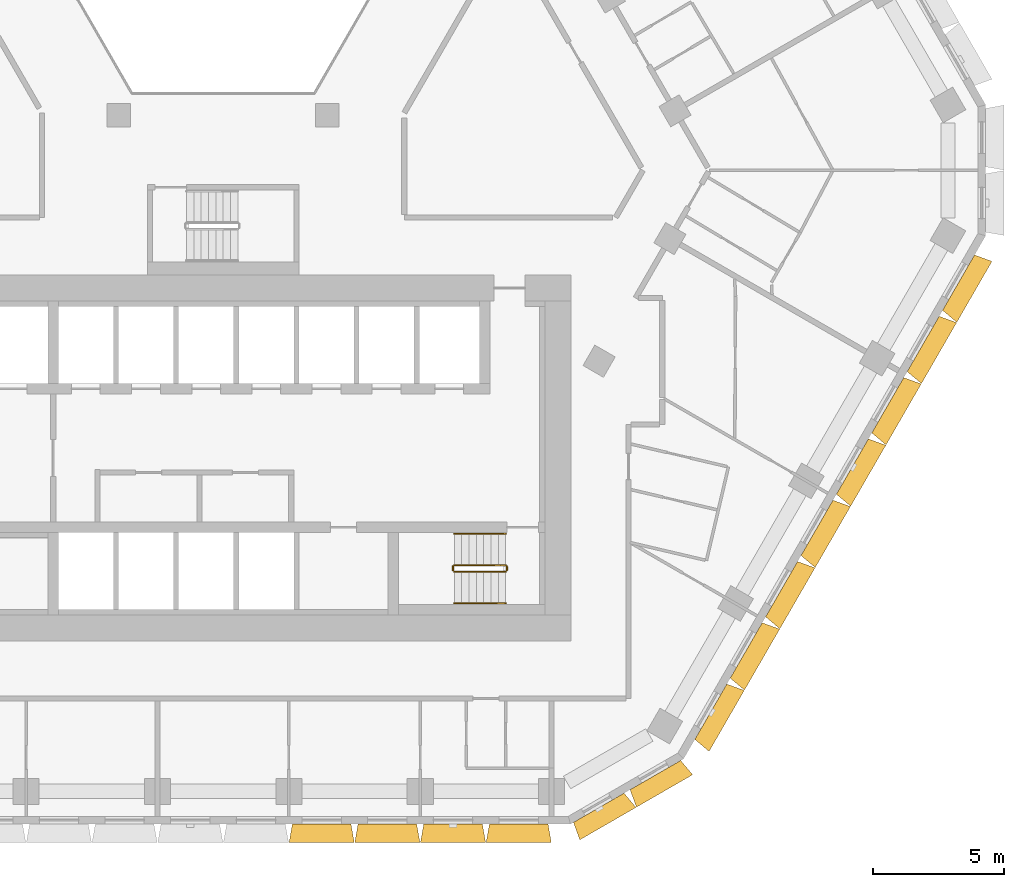
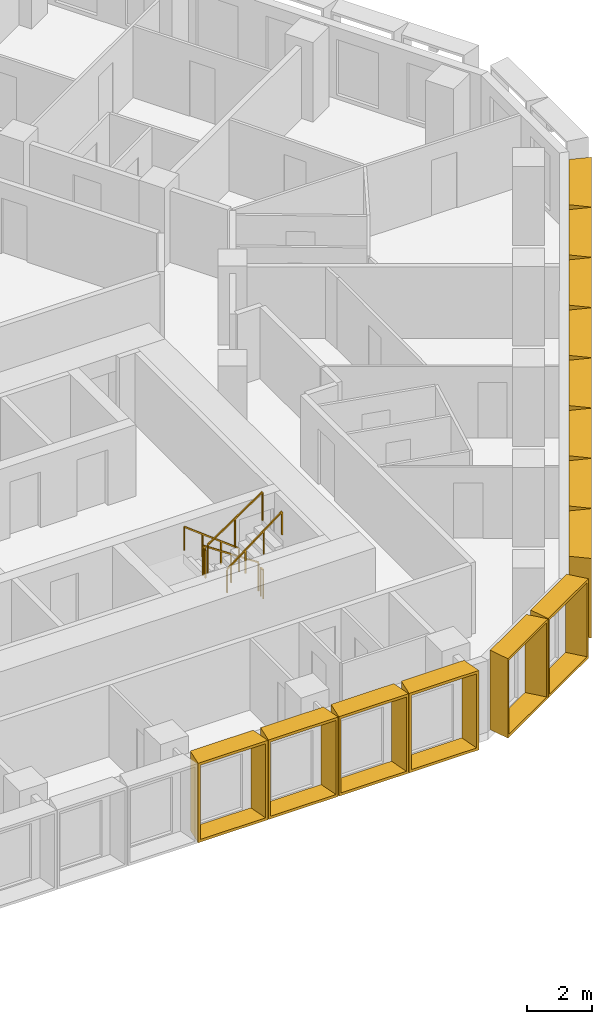
# One storey, part 17 of 18: 14 shading devices, 6 railings.
"""IFC4 building model written with IfcOpenShell, lengths in metres."""

from ifc_helpers import new_model, entity, si_unit, direction, frame, origin, origin_2d, place, context, subcontext, project, spatial, rectangle, extrude, source, transform, mapped, material, type_object, type_shapes, element, save


model = new_model("IFC4")

# Units and contexts
model_context = context("Model", 3, precision=1e-05, world=origin(), true_north=direction((0.0, 1.0)))
body_context = subcontext(model_context, "Body", "Model", "MODEL_VIEW")
ifc_project = project(units=[si_unit("LENGTHUNIT", "METRE"), si_unit("AREAUNIT", "SQUARE_METRE"), si_unit("VOLUMEUNIT", "CUBIC_METRE"), si_unit("PLANEANGLEUNIT", "RADIAN"), si_unit("MASSUNIT", "GRAM", prefix="KILO")], contexts=[model_context])

# Site, building, storey
site_placement = place(None, origin())
site = spatial("IfcSite", under=ifc_project, at=site_placement, CompositionType="ELEMENT")
building_placement = place(site_placement, origin())
building = spatial("IfcBuilding", under=site, at=building_placement, Name="Beryl Residences", CompositionType="ELEMENT")
storey_placement = place(building_placement, frame((0.0, 0.0, 75.0)))
storey = spatial("IfcBuildingStorey", under=building, at=storey_placement, Name="L22", CompositionType="ELEMENT", Elevation=75.0)

# Shading devices
ifc_material_1 = material(Name="Aluminium pale anodised", Category="aluminium")
shading_device_type_1 = type_object("IfcShadingDeviceType", Name="FR250-70A OUTER SKIN frame 700 mm deep, splay 10/10 deg, 2500 x 3000 mm cell", PredefinedType="USERDEFINED", material=ifc_material_1)
cartesian_point_1 = entity("IfcCartesianPoint", [-1.116455078125, 0.0])
cartesian_point_2 = entity("IfcCartesianPoint", [-1.03515625, 0.10009765625])
cartesian_point_3 = entity("IfcCartesianPoint", [-1.239990234375, 0.0])
cartesian_point_4 = entity("IfcCartesianPoint", [-1.15869140625, 0.10009765625])
shared_shape_1 = source(origin(), body_context, "Body", "SweptSolid", [
    entity("IfcExtrudedAreaSolidTapered", entity("IfcArbitraryProfileDefWithVoids", "AREA", None, entity("IfcPolyline", [cartesian_point_1, entity("IfcCartesianPoint", [1.116455078125, 0.0]), entity("IfcCartesianPoint", [1.116455078125, 3.0]), entity("IfcCartesianPoint", [-1.116455078125, 3.0]), cartesian_point_1]), [entity("IfcPolyline", [cartesian_point_2, entity("IfcCartesianPoint", [1.03515625, 0.10009765625]), entity("IfcCartesianPoint", [1.03515625, 2.89990234375]), entity("IfcCartesianPoint", [-1.03515625, 2.89990234375]), cartesian_point_2])]), entity("IfcAxis2Placement3D", entity("IfcCartesianPoint", [0.0, 0.0, 0.0]), entity("IfcDirection", [0.0, 1.0, 0.0]), entity("IfcDirection", [-1.0, 0.0, 0.0])), entity("IfcDirection", [0.0, 0.0, 1.0]), 0.699951171875, entity("IfcArbitraryProfileDefWithVoids", "AREA", None, entity("IfcPolyline", [cartesian_point_3, entity("IfcCartesianPoint", [1.239990234375, 0.0]), entity("IfcCartesianPoint", [1.239990234375, 3.0]), entity("IfcCartesianPoint", [-1.239990234375, 3.0]), cartesian_point_3]), [entity("IfcPolyline", [cartesian_point_4, entity("IfcCartesianPoint", [1.15869140625, 0.10009765625]), entity("IfcCartesianPoint", [1.15869140625, 2.89990234375]), entity("IfcCartesianPoint", [-1.15869140625, 2.89990234375]), cartesian_point_4])])),
])
type_shapes(shading_device_type_1, [shared_shape_1])
for number, where, z_axis, x_axis, name in (
    (1, (14.361083984375, -25.375, 0.0), (0.0, 0.0, 1.0), (-0.866025403784, -0.5, 0.0), "FR250-70A frame L22 S-SE 1"),
    (2, (16.527099609375, -24.125, 0.0), (0.0, 0.0, 1.0), (-0.866025403784, -0.5, 0.0), "FR250-70A frame L22 S-SE 2"),
):
    element("IfcShadingDevice", number, at=place(storey_placement, frame(where, z_axis=z_axis, x_axis=x_axis)), inside=storey, type_object=shading_device_type_1, Name=name, ObjectType="OUTER SKIN", PredefinedType="USERDEFINED", context=body_context, shape_type="MappedRepresentation", body=[
        mapped(shared_shape_1, transform((0.0, 0.0, 0.0))),
    ])
ifc_material_2 = material(Name="Aluminium pale anodised", Category="aluminium")
shading_device_type_2 = type_object("IfcShadingDeviceType", Name="FR251-70A OUTER SKIN frame 700 mm deep, splay 10/10 deg, 2510 x 3000 mm cell", PredefinedType="USERDEFINED", material=ifc_material_2)
cartesian_point_5 = entity("IfcCartesianPoint", [-1.12158203125, 0.0])
cartesian_point_6 = entity("IfcCartesianPoint", [-1.040283203125, 0.10009765625])
cartesian_point_7 = entity("IfcCartesianPoint", [-1.244873046875, 0.0])
cartesian_point_8 = entity("IfcCartesianPoint", [-1.16357421875, 0.10009765625])
shared_shape_2 = source(origin(), body_context, "Body", "SweptSolid", [
    entity("IfcExtrudedAreaSolidTapered", entity("IfcArbitraryProfileDefWithVoids", "AREA", None, entity("IfcPolyline", [cartesian_point_5, entity("IfcCartesianPoint", [1.12158203125, 0.0]), entity("IfcCartesianPoint", [1.12158203125, 3.0]), entity("IfcCartesianPoint", [-1.12158203125, 3.0]), cartesian_point_5]), [entity("IfcPolyline", [cartesian_point_6, entity("IfcCartesianPoint", [1.040283203125, 0.10009765625]), entity("IfcCartesianPoint", [1.040283203125, 2.89990234375]), entity("IfcCartesianPoint", [-1.040283203125, 2.89990234375]), cartesian_point_6])]), entity("IfcAxis2Placement3D", entity("IfcCartesianPoint", [0.0, 0.0, 0.0]), entity("IfcDirection", [0.0, 1.0, 0.0]), entity("IfcDirection", [-1.0, 0.0, 0.0])), entity("IfcDirection", [0.0, 0.0, 1.0]), 0.699951171875, entity("IfcArbitraryProfileDefWithVoids", "AREA", None, entity("IfcPolyline", [cartesian_point_7, entity("IfcCartesianPoint", [1.244873046875, 0.0]), entity("IfcCartesianPoint", [1.244873046875, 3.0]), entity("IfcCartesianPoint", [-1.244873046875, 3.0]), cartesian_point_7]), [entity("IfcPolyline", [cartesian_point_8, entity("IfcCartesianPoint", [1.16357421875, 0.10009765625]), entity("IfcCartesianPoint", [1.16357421875, 2.89990234375]), entity("IfcCartesianPoint", [-1.16357421875, 2.89990234375]), cartesian_point_8])])),
])
type_shapes(shading_device_type_2, [shared_shape_2])
for number, where, z_axis, x_axis, name in (
    (3, (3.76806640625, -26.0, 0.0), (0.0, 0.0, 1.0), (-1.0, 0.0, 0.0), "FR251-70A frame L22 S 7"),
    (4, (6.279052734375, -26.0, 0.0), (0.0, 0.0, 1.0), (-1.0, 0.0, 0.0), "FR251-70A frame L22 S 8"),
    (5, (8.791015625, -26.0, 0.0), (0.0, 0.0, 1.0), (-1.0, 0.0, 0.0), "FR251-70A frame L22 S 9"),
    (6, (11.302001953125, -26.0, 0.0), (0.0, 0.0, 1.0), (-1.0, 0.0, 0.0), "FR251-70A frame L22 S 10"),
):
    element("IfcShadingDevice", number, at=place(storey_placement, frame(where, z_axis=z_axis, x_axis=x_axis)), inside=storey, type_object=shading_device_type_2, Name=name, ObjectType="OUTER SKIN", PredefinedType="USERDEFINED", context=body_context, shape_type="MappedRepresentation", body=[
        mapped(shared_shape_2, transform((0.0, 0.0, 0.0))),
    ])
ifc_material_3 = material(Name="Aluminium pale anodised", Category="aluminium")
shading_device_type_3 = type_object("IfcShadingDeviceType", Name="FR271-70A OUTER SKIN frame 700 mm deep, splay 10/10 deg, 2710 x 3000 mm cell", PredefinedType="USERDEFINED", material=ifc_material_3)
cartesian_point_9 = entity("IfcCartesianPoint", [-1.221435546875, 0.0])
cartesian_point_10 = entity("IfcCartesianPoint", [-1.140380859375, 0.10009765625])
cartesian_point_11 = entity("IfcCartesianPoint", [-1.344970703125, 0.0])
cartesian_point_12 = entity("IfcCartesianPoint", [-1.263671875, 0.10009765625])
shared_shape_3 = source(origin(), body_context, "Body", "SweptSolid", [
    entity("IfcExtrudedAreaSolidTapered", entity("IfcArbitraryProfileDefWithVoids", "AREA", None, entity("IfcPolyline", [cartesian_point_9, entity("IfcCartesianPoint", [1.221435546875, 0.0]), entity("IfcCartesianPoint", [1.221435546875, 3.0]), entity("IfcCartesianPoint", [-1.221435546875, 3.0]), cartesian_point_9]), [entity("IfcPolyline", [cartesian_point_10, entity("IfcCartesianPoint", [1.140380859375, 0.10009765625]), entity("IfcCartesianPoint", [1.140380859375, 2.89990234375]), entity("IfcCartesianPoint", [-1.140380859375, 2.89990234375]), cartesian_point_10])]), entity("IfcAxis2Placement3D", entity("IfcCartesianPoint", [0.0, 0.0, 0.0]), entity("IfcDirection", [0.0, 1.0, 0.0]), entity("IfcDirection", [-1.0, 0.0, 0.0])), entity("IfcDirection", [0.0, 0.0, 1.0]), 0.699951171875, entity("IfcArbitraryProfileDefWithVoids", "AREA", None, entity("IfcPolyline", [cartesian_point_11, entity("IfcCartesianPoint", [1.344970703125, 0.0]), entity("IfcCartesianPoint", [1.344970703125, 3.0]), entity("IfcCartesianPoint", [-1.344970703125, 3.0]), cartesian_point_11]), [entity("IfcPolyline", [cartesian_point_12, entity("IfcCartesianPoint", [1.263671875, 0.10009765625]), entity("IfcCartesianPoint", [1.263671875, 2.89990234375]), entity("IfcCartesianPoint", [-1.263671875, 2.89990234375]), cartesian_point_12])])),
])
type_shapes(shading_device_type_3, [shared_shape_3])
for number, where, z_axis, x_axis, name in (
    (7, (18.64697265625, -21.7041015625, 0.0), (0.0, 0.0, 1.0), (-0.5, -0.866025403784, 0.0), "FR271-70A frame L22 SE 1"),
    (8, (20.0, -19.360107421875, 0.0), (0.0, 0.0, 1.0), (-0.5, -0.866025403784, 0.0), "FR271-70A frame L22 SE 2"),
    (9, (21.35302734375, -17.01611328125, 0.0), (0.0, 0.0, 1.0), (-0.5, -0.866025403784, 0.0), "FR271-70A frame L22 SE 3"),
    (10, (22.7060546875, -14.672119140625, 0.0), (0.0, 0.0, 1.0), (-0.5, -0.866025403784, 0.0), "FR271-70A frame L22 SE 4"),
    (11, (24.06005859375, -12.327880859375, 0.0), (0.0, 0.0, 1.0), (-0.5, -0.866025403784, 0.0), "FR271-70A frame L22 SE 5"),
    (12, (25.4130859375, -9.98388671875, 0.0), (0.0, 0.0, 1.0), (-0.5, -0.866025403784, 0.0), "FR271-70A frame L22 SE 6"),
    (13, (26.76611328125, -7.639892578125, 0.0), (0.0, 0.0, 1.0), (-0.5, -0.866025403784, 0.0), "FR271-70A frame L22 SE 7"),
    (14, (28.118896484375, -5.2958984375, 0.0), (0.0, 0.0, 1.0), (-0.5, -0.866025403784, 0.0), "FR271-70A frame L22 SE 8"),
):
    element("IfcShadingDevice", number, at=place(storey_placement, frame(where, z_axis=z_axis, x_axis=x_axis)), inside=storey, type_object=shading_device_type_3, Name=name, ObjectType="OUTER SKIN", PredefinedType="USERDEFINED", context=body_context, shape_type="MappedRepresentation", body=[
        mapped(shared_shape_3, transform((0.0, 0.0, 0.0))),
    ])

# Railings
ifc_material_4 = material(Name="Stainless steel balustrade with glass infill", Category="steel")
railing_type_1 = type_object("IfcRailingType", Name="SG1 stair guard 1100 mm", PredefinedType="GUARDRAIL", material=ifc_material_4)
railing_1_placement = place(storey_placement, frame((10.800048828125, -16.10009765625, 0.1875)))
element("IfcRailing", 15, at=railing_1_placement, inside=storey, type_object=railing_type_1, Name="L22 ST-3 stair guard 1", PredefinedType="GUARDRAIL", context=body_context, shape_type="SweptSolid", body=[
    extrude(rectangle(XDim=0.048095703125, YDim=0.048095703125, at=origin_2d()), frame((0.0, 0.0, 1.076171875), z_axis=(-0.830902050051, 0.0, 0.556418712142), x_axis=(0.0, -1.0, 0.0)), (0.0, 0.0, 1.0), 2.35888671875),
    extrude(rectangle(XDim=0.0419921875, YDim=0.0419921875, at=origin_2d()), origin(), (0.0, 0.0, 1.0), 1.052001953125),
    extrude(rectangle(XDim=0.0419921875, YDim=0.0419921875, at=origin_2d()), frame((-0.97998046875, 0.0, 0.65625)), (0.0, 0.0, 1.0), 1.052001953125),
    extrude(rectangle(XDim=0.0419921875, YDim=0.0419921875, at=origin_2d()), frame((-1.9599609375, 0.0, 1.3125)), (0.0, 0.0, 1.0), 1.052001953125),
])
railing_2_placement = place(storey_placement, frame((8.7900390625, -16.14990234375, 1.5)))
element("IfcRailing", 16, at=railing_2_placement, inside=storey, type_object=railing_type_1, Name="L22 ST-3 stair guard 2", PredefinedType="GUARDRAIL", context=body_context, shape_type="SweptSolid", body=[
    extrude(rectangle(XDim=0.048095703125, YDim=0.048095703125, at=origin_2d()), frame((0.0, 0.0, 1.076171875), z_axis=(0.0, -1.0, 0.0), x_axis=(1.0, 0.0, 0.0)), (0.0, 0.0, 1.0), 0.150146484375),
    extrude(rectangle(XDim=0.0419921875, YDim=0.0419921875, at=origin_2d()), origin(), (0.0, 0.0, 1.0), 1.052001953125),
    extrude(rectangle(XDim=0.0419921875, YDim=0.0419921875, at=origin_2d()), frame((0.0, -0.150146484375, 0.0)), (0.0, 0.0, 1.0), 1.052001953125),
])
railing_3_placement = place(storey_placement, frame((8.840087890625, -16.35009765625, 1.6875)))
element("IfcRailing", 17, at=railing_3_placement, inside=storey, type_object=railing_type_1, Name="L22 ST-3 stair guard 3", PredefinedType="GUARDRAIL", context=body_context, shape_type="SweptSolid", body=[
    extrude(rectangle(XDim=0.048095703125, YDim=0.048095703125, at=origin_2d()), frame((0.0, 0.0, 1.076171875), z_axis=(0.830902050051, 0.0, 0.556418712142), x_axis=(0.0, 1.0, 0.0)), (0.0, 0.0, 1.0), 2.35888671875),
    extrude(rectangle(XDim=0.0419921875, YDim=0.0419921875, at=origin_2d()), origin(), (0.0, 0.0, 1.0), 1.052001953125),
    extrude(rectangle(XDim=0.0419921875, YDim=0.0419921875, at=origin_2d()), frame((0.97998046875, 0.0, 0.65625)), (0.0, 0.0, 1.0), 1.052001953125),
    extrude(rectangle(XDim=0.0419921875, YDim=0.0419921875, at=origin_2d()), frame((1.9599609375, 0.0, 1.3125)), (0.0, 0.0, 1.0), 1.052001953125),
])
railing_4_placement = place(storey_placement, frame((10.85009765625, -16.14990234375, 0.0)))
element("IfcRailing", 18, at=railing_4_placement, inside=storey, type_object=railing_type_1, Name="L22 ST-3 stair guard 4", PredefinedType="GUARDRAIL", context=body_context, shape_type="SweptSolid", body=[
    extrude(rectangle(XDim=0.048095703125, YDim=0.048095703125, at=origin_2d()), frame((0.0, 0.0, 1.076171875), z_axis=(0.0, -1.0, 0.0), x_axis=(1.0, 0.0, 0.0)), (0.0, 0.0, 1.0), 0.150146484375),
    extrude(rectangle(XDim=0.0419921875, YDim=0.0419921875, at=origin_2d()), origin(), (0.0, 0.0, 1.0), 1.052001953125),
    extrude(rectangle(XDim=0.0419921875, YDim=0.0419921875, at=origin_2d()), frame((0.0, -0.150146484375, 0.0)), (0.0, 0.0, 1.0), 1.052001953125),
])
ifc_material_5 = material(Name="Stainless steel handrail", Category="steel")
railing_type_2 = type_object("IfcRailingType", Name="SRL1 stair handrail 900 mm", PredefinedType="HANDRAIL", material=ifc_material_5)
railing_5_placement = place(storey_placement, frame((10.800048828125, -14.89990234375, 0.1875)))
element("IfcRailing", 19, at=railing_5_placement, inside=storey, type_object=railing_type_2, Name="L22 ST-3 stair handrail 1", PredefinedType="HANDRAIL", context=body_context, shape_type="SweptSolid", body=[
    extrude(rectangle(XDim=0.048095703125, YDim=0.048095703125, at=origin_2d()), frame((0.0, 0.0, 0.8759765625), z_axis=(-0.794121922505, 0.0, 0.607758481798), x_axis=(0.0, -1.0, 0.0)), (0.0, 0.0, 1.0), 2.468017578125),
    extrude(rectangle(XDim=0.0419921875, YDim=0.0419921875, at=origin_2d()), origin(), (0.0, 0.0, 1.0), 0.851806640625),
    extrude(rectangle(XDim=0.0419921875, YDim=0.0419921875, at=origin_2d()), frame((-0.6533203125, 0.0, 0.5)), (0.0, 0.0, 1.0), 0.851806640625),
    extrude(rectangle(XDim=0.0419921875, YDim=0.0419921875, at=origin_2d()), frame((-1.306640625, 0.0, 1.0)), (0.0, 0.0, 1.0), 0.851806640625),
    extrude(rectangle(XDim=0.0419921875, YDim=0.0419921875, at=origin_2d()), frame((-1.9599609375, 0.0, 1.5)), (0.0, 0.0, 1.0), 0.851806640625),
])
railing_6_placement = place(storey_placement, frame((8.840087890625, -17.550048828125, 1.6875)))
element("IfcRailing", 20, at=railing_6_placement, inside=storey, type_object=railing_type_2, Name="L22 ST-3 stair handrail 2", PredefinedType="HANDRAIL", context=body_context, shape_type="SweptSolid", body=[
    extrude(rectangle(XDim=0.048095703125, YDim=0.048095703125, at=origin_2d()), frame((0.0, 0.0, 0.8759765625), z_axis=(0.794121922505, 0.0, 0.607758481798), x_axis=(0.0, 1.0, 0.0)), (0.0, 0.0, 1.0), 2.468017578125),
    extrude(rectangle(XDim=0.0419921875, YDim=0.0419921875, at=origin_2d()), origin(), (0.0, 0.0, 1.0), 0.851806640625),
    extrude(rectangle(XDim=0.0419921875, YDim=0.0419921875, at=origin_2d()), frame((0.6533203125, 0.0, 0.5)), (0.0, 0.0, 1.0), 0.851806640625),
    extrude(rectangle(XDim=0.0419921875, YDim=0.0419921875, at=origin_2d()), frame((1.306640625, 0.0, 1.0)), (0.0, 0.0, 1.0), 0.851806640625),
    extrude(rectangle(XDim=0.0419921875, YDim=0.0419921875, at=origin_2d()), frame((1.9599609375, 0.0, 1.5)), (0.0, 0.0, 1.0), 0.851806640625),
])

save(model, "model.ifc")
